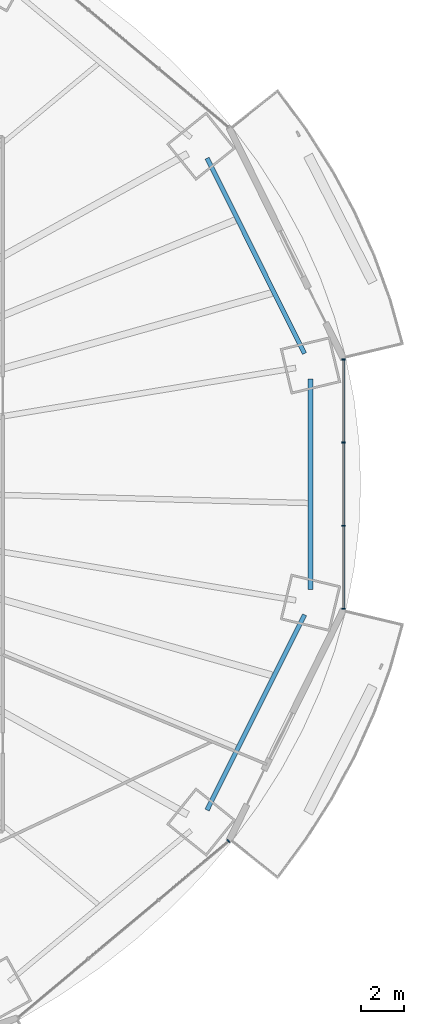
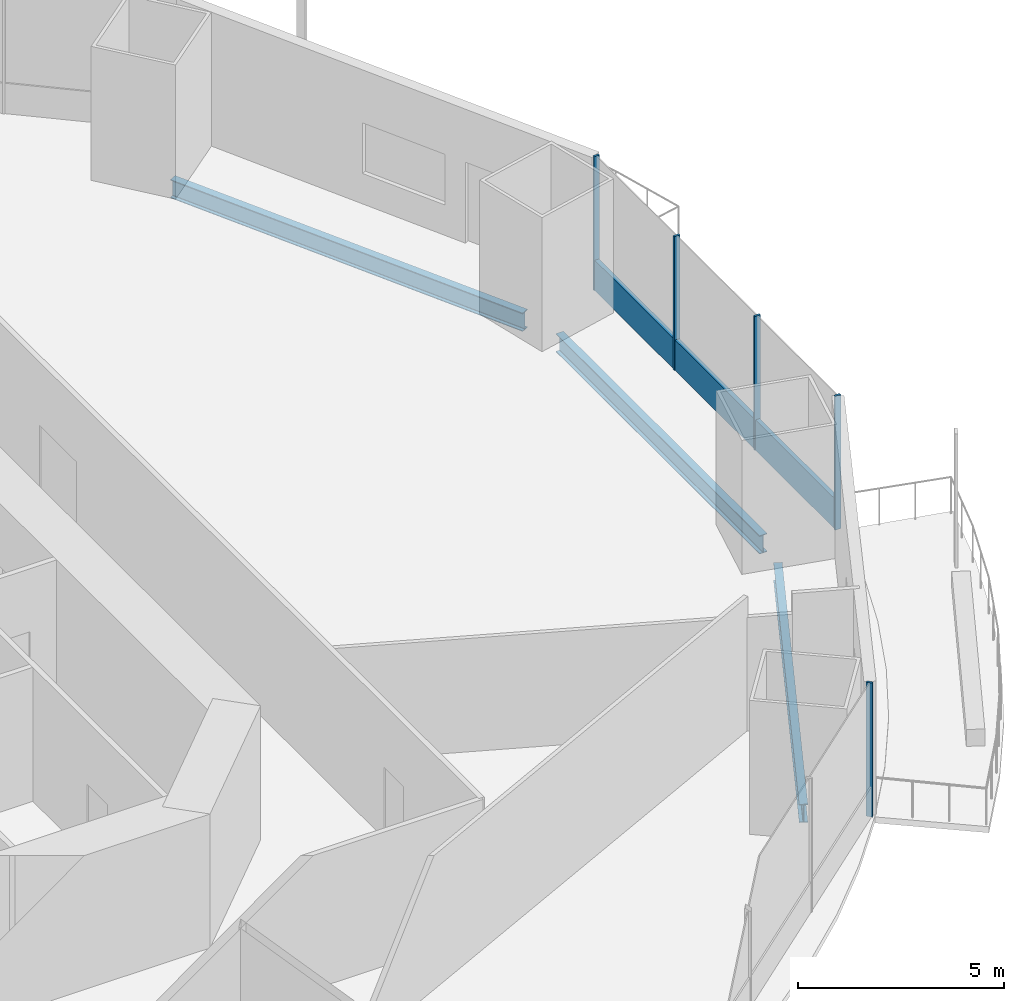
# One storey, part 11 of 23: 6 members, 3 beams, 2 elements without a shape of their own.
"""IFC4 building model written with IfcOpenShell, lengths in metres."""

from ifc_helpers import new_model, si_unit, direction, frame, origin, origin_2d, place, context, subcontext, project, spatial, rectangle, i_section, extrude, material, material_profile, profile_set, type_object, element, aggregate, save


model = new_model("IFC4")

# Units and contexts
model_context = context("Model", 3, precision=1e-05, world=origin(), true_north=direction((0.0, 1.0)))
body_context = subcontext(model_context, "Body", "Model", "MODEL_VIEW")
ifc_project = project(units=[si_unit("LENGTHUNIT", "METRE"), si_unit("AREAUNIT", "SQUARE_METRE"), si_unit("VOLUMEUNIT", "CUBIC_METRE"), si_unit("PLANEANGLEUNIT", "RADIAN"), si_unit("MASSUNIT", "GRAM", prefix="KILO")], contexts=[model_context])

# Site, building, storey
site_placement = place(None, origin())
site = spatial("IfcSite", under=ifc_project, at=site_placement, CompositionType="ELEMENT")
building_placement = place(site_placement, origin())
building = spatial("IfcBuilding", under=site, at=building_placement, Name="Marenthal Gate Tower", CompositionType="ELEMENT")
storey_placement = place(building_placement, frame((0.0, 0.0, 57.89990234375)))
storey = spatial("IfcBuildingStorey", under=building, at=storey_placement, Name="L10", CompositionType="ELEMENT", Elevation=57.89990234375)

# Curtain wall, member
ifc_material_1 = material(Name="Aluminium and glass", Category="aluminium")
curtain_wall_type = type_object("IfcCurtainWallType", Name="Curtain wall typical low", PredefinedType="NOTDEFINED", material=ifc_material_1)
curtain_wall_1_placement = place(storey_placement, origin())
curtain_wall_1 = element("IfcCurtainWall", 1, at=curtain_wall_1_placement, inside=storey, type_object=curtain_wall_type, Name="Curtain wall L10 bay 14", PredefinedType="NOTDEFINED")
ifc_material_2 = material(Name="Aluminium", Category="aluminium")
ifc_material_profile_1 = material_profile(ifc_material_2, rectangle(XDim=0.159912109375, YDim=0.06005859375, at=origin_2d()), Name="60x160 aluminium mullion")
ifc_profile_set_1 = profile_set([ifc_material_profile_1], Name="Aluminium")
member_type_1 = type_object("IfcMemberType", Name="Mullion 60x160 typical low", PredefinedType="MULLION", material=ifc_profile_set_1)
member_1_placement = place(storey_placement, frame((29.90576171875, -16.76904296875, 0.0), z_axis=(0.0, 0.0, 1.0), x_axis=(-0.642111737517, 0.766611059497, 0.0)))
member_1 = element("IfcMember", 2, at=member_1_placement, type_object=member_type_1, Name="Mullion L10 bay 14.4", PredefinedType="MULLION", context=body_context, shape_type="SweptSolid", body=[
    extrude(rectangle(XDim=0.159912109375, YDim=0.06005859375, at=origin_2d()), origin(), (0.0, 0.0, 1.0), 3.97021484375),
])
aggregate(curtain_wall_1, [member_1])

# Curtain wall, members
curtain_wall_2_placement = place(storey_placement, origin())
curtain_wall_2 = element("IfcCurtainWall", 3, at=curtain_wall_2_placement, inside=storey, type_object=curtain_wall_type, Name="Curtain wall L10 bay 16", PredefinedType="NOTDEFINED")
member_2_placement = place(storey_placement, frame((35.303466796875, -5.851806640625, 0.0), z_axis=(0.0, 0.0, 1.0), x_axis=(-1.0, 0.0, 0.0)))
member_2 = element("IfcMember", 4, at=member_2_placement, type_object=member_type_1, Name="Mullion L10 bay 16.1", PredefinedType="MULLION", context=body_context, shape_type="SweptSolid", body=[
    extrude(rectangle(XDim=0.159912109375, YDim=0.06005859375, at=origin_2d()), origin(), (0.0, 0.0, 1.0), 3.97021484375),
])
member_3_placement = place(storey_placement, frame((35.303466796875, -1.95068359375, 0.0), z_axis=(0.0, 0.0, 1.0), x_axis=(-1.0, 0.0, 0.0)))
member_3 = element("IfcMember", 5, at=member_3_placement, type_object=member_type_1, Name="Mullion L10 bay 16.2", PredefinedType="MULLION", context=body_context, shape_type="SweptSolid", body=[
    extrude(rectangle(XDim=0.159912109375, YDim=0.06005859375, at=origin_2d()), origin(), (0.0, 0.0, 1.0), 3.97021484375),
])
member_4_placement = place(storey_placement, frame((35.303466796875, 1.95068359375, 0.0), z_axis=(0.0, 0.0, 1.0), x_axis=(-1.0, 0.0, 0.0)))
member_4 = element("IfcMember", 6, at=member_4_placement, type_object=member_type_1, Name="Mullion L10 bay 16.3", PredefinedType="MULLION", context=body_context, shape_type="SweptSolid", body=[
    extrude(rectangle(XDim=0.159912109375, YDim=0.06005859375, at=origin_2d()), origin(), (0.0, 0.0, 1.0), 3.97021484375),
])
member_5_placement = place(storey_placement, frame((35.303466796875, 5.851806640625, 0.0), z_axis=(0.0, 0.0, 1.0), x_axis=(-1.0, 0.0, 0.0)))
member_5 = element("IfcMember", 7, at=member_5_placement, type_object=member_type_1, Name="Mullion L10 bay 16.4", PredefinedType="MULLION", context=body_context, shape_type="SweptSolid", body=[
    extrude(rectangle(XDim=0.159912109375, YDim=0.06005859375, at=origin_2d()), origin(), (0.0, 0.0, 1.0), 3.97021484375),
])
ifc_material_3 = material(Name="Aluminium", Category="aluminium")
ifc_material_profile_2 = material_profile(ifc_material_3, rectangle(XDim=0.1201171875, YDim=0.89990234375, at=origin_2d()), Name="120x900 aluminium transom")
ifc_profile_set_2 = profile_set([ifc_material_profile_2], Name="Aluminium")
member_type_2 = type_object("IfcMemberType", Name="Transom 120x900 typical low", PredefinedType="USERDEFINED", material=ifc_profile_set_2)
member_6_placement = place(storey_placement, frame((35.303466796875, -5.82177734375, 0.4501953125), z_axis=(0.0, 1.0, 0.0), x_axis=(-1.0, 0.0, 0.0)))
member_6 = element("IfcMember", 8, at=member_6_placement, type_object=member_type_2, Name="Transom L10 bay 16", ObjectType="TRANSOM", PredefinedType="USERDEFINED", context=body_context, shape_type="SweptSolid", body=[
    extrude(rectangle(XDim=0.1201171875, YDim=0.89990234375, at=origin_2d()), origin(), (0.0, 0.0, 1.0), 11.6435546875),
])
aggregate(curtain_wall_2, [member_2, member_3, member_4, member_5, member_6])

# Beams
ifc_material_4 = material(Name="Steel S355", Category="steel")
ifc_material_profile_3 = material_profile(ifc_material_4, i_section(OverallWidth=0.2119140625, OverallDepth=0.5439453125, WebThickness=0.01318359375, FlangeThickness=0.021240234375, FilletRadius=0.0126953125, at=origin_2d()), Name="W530X123")
ifc_profile_set_3 = profile_set([ifc_material_profile_3], Name="Steel S355")
beam_type = type_object("IfcBeamType", Name="W530X123 beam", PredefinedType="BEAM", material=ifc_profile_set_3)
for number, where, z_axis, x_axis, name in (
    (9, (33.472900390625, 6.136474609375, -0.451904296875), (-0.446499206551, 0.894784028998, 0.0), (-0.894784028998, -0.446499206551, 0.0), "BM-L10-41"),
    (10, (28.894287109375, -15.31201171875, -0.451904296875), (0.446499206551, 0.894784028998, 0.0), (-0.894784028998, 0.446499206551, 0.0), "BM-L10-55"),
):
    element("IfcBeam", number, at=place(storey_placement, frame(where, z_axis=z_axis, x_axis=x_axis)), inside=storey, type_object=beam_type, Name=name, PredefinedType="BEAM", context=body_context, shape_type="SweptSolid", body=[
        extrude(i_section(OverallWidth=0.2119140625, OverallDepth=0.5439453125, WebThickness=0.01318359375, FlangeThickness=0.021240234375, FilletRadius=0.0126953125, at=origin_2d()), origin(), (0.0, 0.0, 1.0), 10.25439453125),
    ])
beam_placement = place(storey_placement, frame((33.753662109375, -4.9423828125, -0.451904296875), z_axis=(0.0, 1.0, 0.0), x_axis=(-1.0, 0.0, 0.0)))
element("IfcBeam", 11, at=beam_placement, inside=storey, type_object=beam_type, Name="BM-L10-56", PredefinedType="BEAM", context=body_context, shape_type="SweptSolid", body=[
    extrude(i_section(OverallWidth=0.2119140625, OverallDepth=0.5439453125, WebThickness=0.01318359375, FlangeThickness=0.021240234375, FilletRadius=0.0126953125, at=origin_2d()), origin(), (0.0, 0.0, 1.0), 9.884765625),
])

save(model, "model.ifc")
